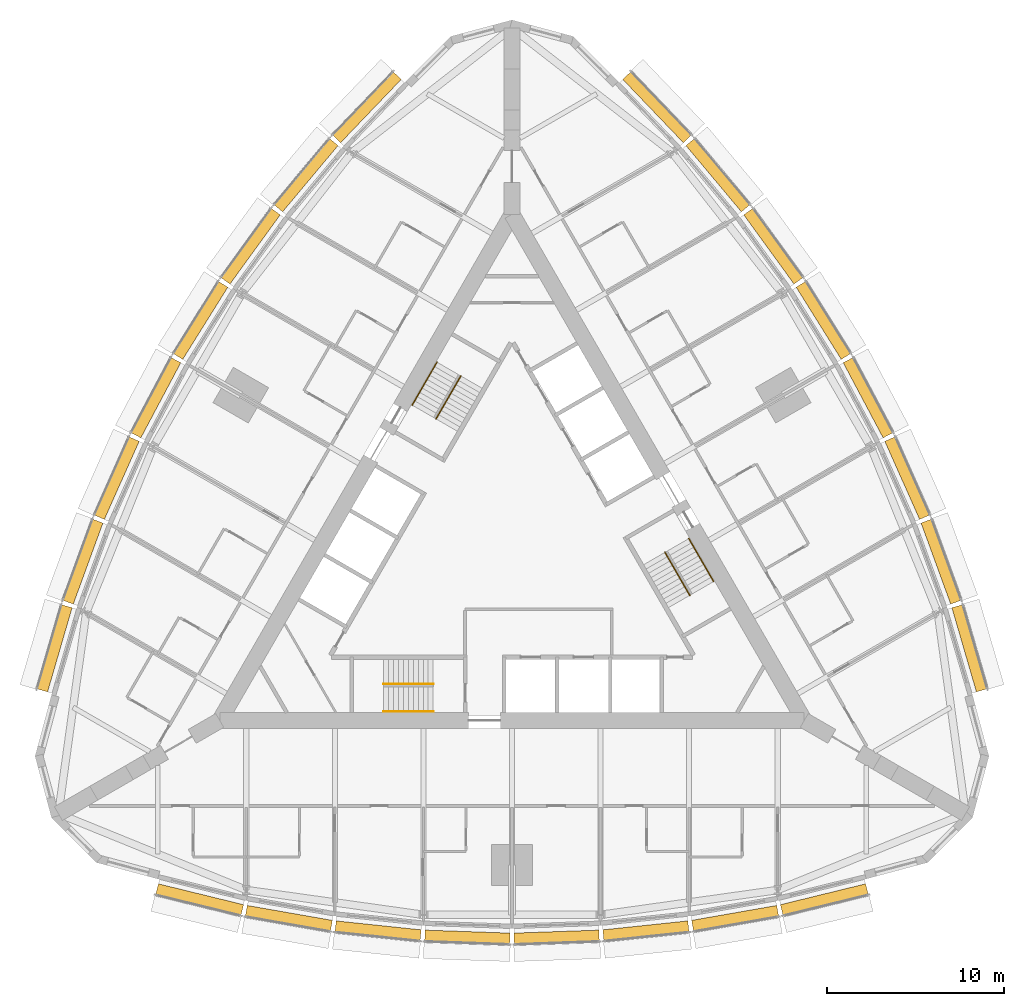
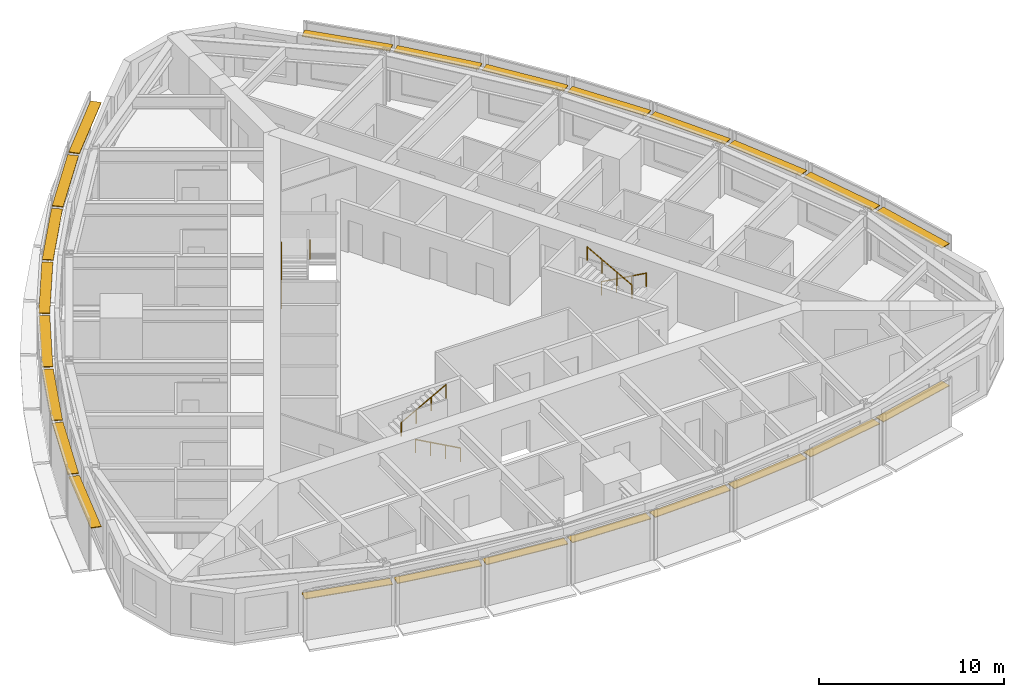
# One storey, part 14 of 14: 24 shading devices, 6 railings.
"""IFC4 building model written with IfcOpenShell, lengths in metres."""

from ifc_helpers import new_model, si_unit, direction, frame, origin, origin_2d, place, context, subcontext, project, spatial, rectangle, circle, extrude, material, type_object, element, save


model = new_model("IFC4")

# Units and contexts
model_context = context("Model", 3, precision=1e-05, world=origin(), true_north=direction((0.0, 1.0)))
body_context = subcontext(model_context, "Body", "Model", "MODEL_VIEW")
ifc_project = project(units=[si_unit("LENGTHUNIT", "METRE"), si_unit("AREAUNIT", "SQUARE_METRE"), si_unit("VOLUMEUNIT", "CUBIC_METRE"), si_unit("PLANEANGLEUNIT", "RADIAN"), si_unit("MASSUNIT", "GRAM", prefix="KILO")], contexts=[model_context])

# Site, building, storey
site_placement = place(None, origin())
site = spatial("IfcSite", under=ifc_project, at=site_placement, CompositionType="ELEMENT")
building_placement = place(site_placement, origin())
building = spatial("IfcBuilding", under=site, at=building_placement, Name="Trikona Tower", CompositionType="ELEMENT")
storey_placement = place(building_placement, frame((0.0, 0.0, 135.10009765625)))
storey = spatial("IfcBuildingStorey", under=building, at=storey_placement, Name="L35", CompositionType="ELEMENT", Elevation=135.10009765625)

# Shading devices
ifc_material_1 = material(Name="Aluminium louvre blade, pale anodised", Category="aluminium")
shading_device_type = type_object("IfcShadingDeviceType", Name="Cavity louvre 600", PredefinedType="USERDEFINED", material=ifc_material_1)
shading_device_1_placement = place(storey_placement, frame((-17.63330078125, -19.631591796875, 2.77490234375), z_axis=(0.0, 0.0, 1.0), x_axis=(0.971274411564, -0.237962218516, 0.0)))
element("IfcShadingDevice", 1, at=shading_device_1_placement, inside=storey, type_object=shading_device_type, Name="Cavity louvre L35-00", ObjectType="LOUVRE", PredefinedType="USERDEFINED", context=body_context, shape_type="SweptSolid", body=[
    extrude(rectangle(XDim=4.947998046875, YDim=0.60009765625, at=origin_2d()), origin(), (0.0, 0.0, 1.0), 0.050048828125),
])
shading_device_2_placement = place(storey_placement, frame((-12.596435546875, -20.689208984375, 2.77490234375), z_axis=(0.0, 0.0, 1.0), x_axis=(0.985030604067, -0.172379549401, 0.0)))
element("IfcShadingDevice", 2, at=shading_device_2_placement, inside=storey, type_object=shading_device_type, Name="Cavity louvre L35-01", ObjectType="LOUVRE", PredefinedType="USERDEFINED", context=body_context, shape_type="SweptSolid", body=[
    extrude(rectangle(XDim=4.8759765625, YDim=0.60009765625, at=origin_2d()), origin(), (0.0, 0.0, 1.0), 0.050048828125),
])
shading_device_3_placement = place(storey_placement, frame((-7.55859375, -21.39453125, 2.77490234375), z_axis=(0.0, 0.0, 1.0), x_axis=(0.994532653854, -0.104426052392, 0.0)))
element("IfcShadingDevice", 3, at=shading_device_3_placement, inside=storey, type_object=shading_device_type, Name="Cavity louvre L35-02", ObjectType="LOUVRE", PredefinedType="USERDEFINED", context=body_context, shape_type="SweptSolid", body=[
    extrude(rectangle(XDim=4.827392578125, YDim=0.60009765625, at=origin_2d()), origin(), (0.0, 0.0, 1.0), 0.050048828125),
])
for number, where, z_axis, x_axis, name in (
    (4, (-2.51953125, -21.747314453125, 2.77490234375), (0.0, 0.0, 1.0), (0.999388082937, -0.034977988567, 0.0), "Cavity louvre L35-03"),
    (5, (2.51953125, -21.747314453125, 2.77490234375), (0.0, 0.0, 1.0), (0.999388082937, 0.034977988567, 0.0), "Cavity louvre L35-04"),
):
    element("IfcShadingDevice", number, at=place(storey_placement, frame(where, z_axis=z_axis, x_axis=x_axis)), inside=storey, type_object=shading_device_type, Name=name, ObjectType="LOUVRE", PredefinedType="USERDEFINED", context=body_context, shape_type="SweptSolid", body=[
        extrude(rectangle(XDim=4.802978515625, YDim=0.60009765625, at=origin_2d()), origin(), (0.0, 0.0, 1.0), 0.050048828125),
    ])
shading_device_4_placement = place(storey_placement, frame((7.55859375, -21.39453125, 2.77490234375), z_axis=(0.0, 0.0, 1.0), x_axis=(0.994532653854, 0.104426052392, 0.0)))
element("IfcShadingDevice", 6, at=shading_device_4_placement, inside=storey, type_object=shading_device_type, Name="Cavity louvre L35-05", ObjectType="LOUVRE", PredefinedType="USERDEFINED", context=body_context, shape_type="SweptSolid", body=[
    extrude(rectangle(XDim=4.827392578125, YDim=0.60009765625, at=origin_2d()), origin(), (0.0, 0.0, 1.0), 0.050048828125),
])
shading_device_5_placement = place(storey_placement, frame((12.596435546875, -20.689208984375, 2.77490234375), z_axis=(0.0, 0.0, 1.0), x_axis=(0.985030604067, 0.172379549401, 0.0)))
element("IfcShadingDevice", 7, at=shading_device_5_placement, inside=storey, type_object=shading_device_type, Name="Cavity louvre L35-06", ObjectType="LOUVRE", PredefinedType="USERDEFINED", context=body_context, shape_type="SweptSolid", body=[
    extrude(rectangle(XDim=4.8759765625, YDim=0.60009765625, at=origin_2d()), origin(), (0.0, 0.0, 1.0), 0.050048828125),
])
shading_device_6_placement = place(storey_placement, frame((17.63330078125, -19.631591796875, 2.77490234375), z_axis=(0.0, 0.0, 1.0), x_axis=(0.971274411564, 0.237962218516, 0.0)))
element("IfcShadingDevice", 8, at=shading_device_6_placement, inside=storey, type_object=shading_device_type, Name="Cavity louvre L35-07", ObjectType="LOUVRE", PredefinedType="USERDEFINED", context=body_context, shape_type="SweptSolid", body=[
    extrude(rectangle(XDim=4.947998046875, YDim=0.60009765625, at=origin_2d()), origin(), (0.0, 0.0, 1.0), 0.050048828125),
])
shading_device_7_placement = place(storey_placement, frame((25.818115234375, -5.455078125, 2.77490234375), z_axis=(0.0, 0.0, 1.0), x_axis=(-0.279554203664, 0.960129911634, 0.0)))
element("IfcShadingDevice", 9, at=shading_device_7_placement, inside=storey, type_object=shading_device_type, Name="Cavity louvre L35-12", ObjectType="LOUVRE", PredefinedType="USERDEFINED", context=body_context, shape_type="SweptSolid", body=[
    extrude(rectangle(XDim=4.94775390625, YDim=0.60009765625, at=origin_2d()), origin(), (0.0, 0.0, 1.0), 0.050048828125),
])
shading_device_8_placement = place(storey_placement, frame((24.2158203125, -0.564208984375, 2.77490234375), z_axis=(0.0, 0.0, 1.0), x_axis=(-0.343220397324, 0.939254895575, 0.0)))
element("IfcShadingDevice", 10, at=shading_device_8_placement, inside=storey, type_object=shading_device_type, Name="Cavity louvre L35-13", ObjectType="LOUVRE", PredefinedType="USERDEFINED", context=body_context, shape_type="SweptSolid", body=[
    extrude(rectangle(XDim=4.8759765625, YDim=0.60009765625, at=origin_2d()), origin(), (0.0, 0.0, 1.0), 0.050048828125),
])
shading_device_9_placement = place(storey_placement, frame((22.3076171875, 4.151611328125, 2.77490234375), z_axis=(0.0, 0.0, 1.0), x_axis=(-0.406843467615, 0.913497888809, 0.0)))
element("IfcShadingDevice", 11, at=shading_device_9_placement, inside=storey, type_object=shading_device_type, Name="Cavity louvre L35-14", ObjectType="LOUVRE", PredefinedType="USERDEFINED", context=body_context, shape_type="SweptSolid", body=[
    extrude(rectangle(XDim=4.827392578125, YDim=0.60009765625, at=origin_2d()), origin(), (0.0, 0.0, 1.0), 0.050048828125),
])
for number, where, z_axis, x_axis, name in (
    (12, (20.093505859375, 8.691650390625, 2.77490234375), (0.0, 0.0, 1.0), (-0.469397591494, 0.882986920118, 0.0), "Cavity louvre L35-15"),
    (13, (17.573974609375, 13.0556640625, 2.77490234375), (0.0, 0.0, 1.0), (-0.529994748414, 0.848000923734, 0.0), "Cavity louvre L35-16"),
):
    element("IfcShadingDevice", number, at=place(storey_placement, frame(where, z_axis=z_axis, x_axis=x_axis)), inside=storey, type_object=shading_device_type, Name=name, ObjectType="LOUVRE", PredefinedType="USERDEFINED", context=body_context, shape_type="SweptSolid", body=[
        extrude(rectangle(XDim=4.802978515625, YDim=0.60009765625, at=origin_2d()), origin(), (0.0, 0.0, 1.0), 0.050048828125),
    ])
shading_device_10_placement = place(storey_placement, frame((14.7490234375, 17.2431640625, 2.77490234375), z_axis=(0.0, 0.0, 1.0), x_axis=(-0.587686407834, 0.809088799853, 0.0)))
element("IfcShadingDevice", 14, at=shading_device_10_placement, inside=storey, type_object=shading_device_type, Name="Cavity louvre L35-17", ObjectType="LOUVRE", PredefinedType="USERDEFINED", context=body_context, shape_type="SweptSolid", body=[
    extrude(rectangle(XDim=4.827392578125, YDim=0.60009765625, at=origin_2d()), origin(), (0.0, 0.0, 1.0), 0.050048828125),
])
shading_device_11_placement = place(storey_placement, frame((11.619140625, 21.253662109375, 2.77490234375), z_axis=(0.0, 0.0, 1.0), x_axis=(-0.641807063101, 0.766866151133, 0.0)))
element("IfcShadingDevice", 15, at=shading_device_11_placement, inside=storey, type_object=shading_device_type, Name="Cavity louvre L35-18", ObjectType="LOUVRE", PredefinedType="USERDEFINED", context=body_context, shape_type="SweptSolid", body=[
    extrude(rectangle(XDim=4.8759765625, YDim=0.60009765625, at=origin_2d()), origin(), (0.0, 0.0, 1.0), 0.050048828125),
])
for number, where, z_axis, x_axis, name in (
    (16, (8.184814453125, 25.086669921875, 2.77490234375), (0.0, 0.0, 1.0), (-0.691723573819, 0.722162376078, 0.0), "Cavity louvre L35-19"),
    (17, (-8.184814453125, 25.086669921875, 2.77490234375), (0.0, 0.0, 1.0), (-0.691723573819, -0.722162376078, 0.0), "Cavity louvre L35-24"),
):
    element("IfcShadingDevice", number, at=place(storey_placement, frame(where, z_axis=z_axis, x_axis=x_axis)), inside=storey, type_object=shading_device_type, Name=name, ObjectType="LOUVRE", PredefinedType="USERDEFINED", context=body_context, shape_type="SweptSolid", body=[
        extrude(rectangle(XDim=4.947998046875, YDim=0.60009765625, at=origin_2d()), origin(), (0.0, 0.0, 1.0), 0.050048828125),
    ])
shading_device_12_placement = place(storey_placement, frame((-11.619140625, 21.253662109375, 2.77490234375), z_axis=(0.0, 0.0, 1.0), x_axis=(-0.641807063101, -0.766866151133, 0.0)))
element("IfcShadingDevice", 18, at=shading_device_12_placement, inside=storey, type_object=shading_device_type, Name="Cavity louvre L35-25", ObjectType="LOUVRE", PredefinedType="USERDEFINED", context=body_context, shape_type="SweptSolid", body=[
    extrude(rectangle(XDim=4.8759765625, YDim=0.60009765625, at=origin_2d()), origin(), (0.0, 0.0, 1.0), 0.050048828125),
])
shading_device_13_placement = place(storey_placement, frame((-14.7490234375, 17.2431640625, 2.77490234375), z_axis=(0.0, 0.0, 1.0), x_axis=(-0.587686407834, -0.809088799853, 0.0)))
element("IfcShadingDevice", 19, at=shading_device_13_placement, inside=storey, type_object=shading_device_type, Name="Cavity louvre L35-26", ObjectType="LOUVRE", PredefinedType="USERDEFINED", context=body_context, shape_type="SweptSolid", body=[
    extrude(rectangle(XDim=4.827392578125, YDim=0.60009765625, at=origin_2d()), origin(), (0.0, 0.0, 1.0), 0.050048828125),
])
for number, where, z_axis, x_axis, name in (
    (20, (-17.573974609375, 13.0556640625, 2.77490234375), (0.0, 0.0, 1.0), (-0.529994748414, -0.848000923734, 0.0), "Cavity louvre L35-27"),
    (21, (-20.093505859375, 8.691650390625, 2.77490234375), (0.0, 0.0, 1.0), (-0.469397591494, -0.882986920118, 0.0), "Cavity louvre L35-28"),
):
    element("IfcShadingDevice", number, at=place(storey_placement, frame(where, z_axis=z_axis, x_axis=x_axis)), inside=storey, type_object=shading_device_type, Name=name, ObjectType="LOUVRE", PredefinedType="USERDEFINED", context=body_context, shape_type="SweptSolid", body=[
        extrude(rectangle(XDim=4.802978515625, YDim=0.60009765625, at=origin_2d()), origin(), (0.0, 0.0, 1.0), 0.050048828125),
    ])
shading_device_14_placement = place(storey_placement, frame((-22.3076171875, 4.151611328125, 2.77490234375), z_axis=(0.0, 0.0, 1.0), x_axis=(-0.406843467615, -0.913497888809, 0.0)))
element("IfcShadingDevice", 22, at=shading_device_14_placement, inside=storey, type_object=shading_device_type, Name="Cavity louvre L35-29", ObjectType="LOUVRE", PredefinedType="USERDEFINED", context=body_context, shape_type="SweptSolid", body=[
    extrude(rectangle(XDim=4.827392578125, YDim=0.60009765625, at=origin_2d()), origin(), (0.0, 0.0, 1.0), 0.050048828125),
])
shading_device_15_placement = place(storey_placement, frame((-24.2158203125, -0.564208984375, 2.77490234375), z_axis=(0.0, 0.0, 1.0), x_axis=(-0.343220397324, -0.939254895575, 0.0)))
element("IfcShadingDevice", 23, at=shading_device_15_placement, inside=storey, type_object=shading_device_type, Name="Cavity louvre L35-30", ObjectType="LOUVRE", PredefinedType="USERDEFINED", context=body_context, shape_type="SweptSolid", body=[
    extrude(rectangle(XDim=4.8759765625, YDim=0.60009765625, at=origin_2d()), origin(), (0.0, 0.0, 1.0), 0.050048828125),
])
shading_device_16_placement = place(storey_placement, frame((-25.818115234375, -5.455078125, 2.77490234375), z_axis=(0.0, 0.0, 1.0), x_axis=(-0.279554203664, -0.960129911634, 0.0)))
element("IfcShadingDevice", 24, at=shading_device_16_placement, inside=storey, type_object=shading_device_type, Name="Cavity louvre L35-31", ObjectType="LOUVRE", PredefinedType="USERDEFINED", context=body_context, shape_type="SweptSolid", body=[
    extrude(rectangle(XDim=4.94775390625, YDim=0.60009765625, at=origin_2d()), origin(), (0.0, 0.0, 1.0), 0.050048828125),
])

# Railings
ifc_material_2 = material(Name="Stainless steel handrail", Category="steel")
railing_type = type_object("IfcRailingType", Name="Stair handrail", PredefinedType="HANDRAIL", material=ifc_material_2)
railing_1_placement = place(storey_placement, frame((-4.449951171875, -9.016357421875, 0.154296875)))
element("IfcRailing", 25, at=railing_1_placement, inside=storey, type_object=railing_type, Name="Stair handrail A L35 1", PredefinedType="HANDRAIL", context=body_context, shape_type="SweptSolid", body=[
    extrude(circle(Radius=0.02392578125, at=origin_2d()), frame((0.0, 0.0, 0.8759765625), z_axis=(-0.875471895205, 0.0, 0.483269035534), x_axis=(0.0, -1.0, 0.0)), (0.0, 0.0, 1.0), 3.1982421875),
    extrude(circle(Radius=0.02099609375, at=origin_2d()), origin(), (0.0, 0.0, 1.0), 0.851806640625),
    extrude(circle(Radius=0.02099609375, at=origin_2d()), frame((-0.933349609375, 0.0, 0.51513671875)), (0.0, 0.0, 1.0), 0.851806640625),
    extrude(circle(Radius=0.02099609375, at=origin_2d()), frame((-1.86669921875, 0.0, 1.030517578125)), (0.0, 0.0, 1.0), 0.851806640625),
    extrude(circle(Radius=0.02099609375, at=origin_2d()), frame((-2.800048828125, 0.0, 1.545654296875)), (0.0, 0.0, 1.0), 0.851806640625),
])
railing_2_placement = place(storey_placement, frame((-7.25, -7.46630859375, 1.8544921875)))
element("IfcRailing", 26, at=railing_2_placement, inside=storey, type_object=railing_type, Name="Stair handrail A L35 2", PredefinedType="HANDRAIL", context=body_context, shape_type="SweptSolid", body=[
    extrude(circle(Radius=0.02392578125, at=origin_2d()), frame((0.0, 0.0, 0.8759765625), z_axis=(0.875504190374, 0.0, 0.483210526207), x_axis=(0.0, 1.0, 0.0)), (0.0, 0.0, 1.0), 3.1982421875),
    extrude(circle(Radius=0.02099609375, at=origin_2d()), origin(), (0.0, 0.0, 1.0), 0.851806640625),
    extrude(circle(Radius=0.02099609375, at=origin_2d()), frame((0.933349609375, 0.0, 0.51513671875)), (0.0, 0.0, 1.0), 0.851806640625),
    extrude(circle(Radius=0.02099609375, at=origin_2d()), frame((1.86669921875, 0.0, 1.0302734375)), (0.0, 0.0, 1.0), 0.851806640625),
    extrude(circle(Radius=0.02099609375, at=origin_2d()), frame((2.800048828125, 0.0, 1.54541015625)), (0.0, 0.0, 1.0), 0.851806640625),
])
railing_3_placement = place(storey_placement, frame((9.9833984375, 0.740966796875, 0.154296875)))
element("IfcRailing", 27, at=railing_3_placement, inside=storey, type_object=railing_type, Name="Stair handrail B L35 1", PredefinedType="HANDRAIL", context=body_context, shape_type="SweptSolid", body=[
    extrude(circle(Radius=0.02392578125, at=origin_2d()), frame((0.0, 0.0, 0.8759765625), z_axis=(0.437691042731, -0.758211567396, 0.483261596012), x_axis=(0.866056369097, 0.49994636267, 0.0)), (0.0, 0.0, 1.0), 3.198486328125),
    extrude(circle(Radius=0.02099609375, at=origin_2d()), origin(), (0.0, 0.0, 1.0), 0.851806640625),
    extrude(circle(Radius=0.02099609375, at=origin_2d()), frame((0.466552734375, -0.808349609375, 0.51513671875)), (0.0, 0.0, 1.0), 0.851806640625),
    extrude(circle(Radius=0.02099609375, at=origin_2d()), frame((0.933349609375, -1.61669921875, 1.030517578125)), (0.0, 0.0, 1.0), 0.851806640625),
    extrude(circle(Radius=0.02099609375, at=origin_2d()), frame((1.39990234375, -2.425048828125, 1.545654296875)), (0.0, 0.0, 1.0), 0.851806640625),
])
railing_4_placement = place(storey_placement, frame((10.041015625, -2.458984375, 1.8544921875)))
element("IfcRailing", 28, at=railing_4_placement, inside=storey, type_object=railing_type, Name="Stair handrail B L35 2", PredefinedType="HANDRAIL", context=body_context, shape_type="SweptSolid", body=[
    extrude(circle(Radius=0.02392578125, at=origin_2d()), frame((0.0, 0.0, 0.8759765625), z_axis=(-0.437707188162, 0.758239536103, 0.483203087036), x_axis=(-0.866056369097, -0.49994636267, 0.0)), (0.0, 0.0, 1.0), 3.1982421875),
    extrude(circle(Radius=0.02099609375, at=origin_2d()), origin(), (0.0, 0.0, 1.0), 0.851806640625),
    extrude(circle(Radius=0.02099609375, at=origin_2d()), frame((-0.466552734375, 0.808349609375, 0.51513671875)), (0.0, 0.0, 1.0), 0.851806640625),
    extrude(circle(Radius=0.02099609375, at=origin_2d()), frame((-0.933349609375, 1.61669921875, 1.0302734375)), (0.0, 0.0, 1.0), 0.851806640625),
    extrude(circle(Radius=0.02099609375, at=origin_2d()), frame((-1.39990234375, 2.425048828125, 1.54541015625)), (0.0, 0.0, 1.0), 0.851806640625),
])
railing_5_placement = place(storey_placement, frame((-5.63330078125, 8.275390625, 0.154296875)))
element("IfcRailing", 29, at=railing_5_placement, inside=storey, type_object=railing_type, Name="Stair handrail C L35 1", PredefinedType="HANDRAIL", context=body_context, shape_type="SweptSolid", body=[
    extrude(circle(Radius=0.02392578125, at=origin_2d()), frame((0.0, 0.0, 0.8759765625), z_axis=(0.437716375571, 0.758179114435, 0.4832895664), x_axis=(-0.866034573852, 0.49998411664, 0.0)), (0.0, 0.0, 1.0), 3.1982421875),
    extrude(circle(Radius=0.02099609375, at=origin_2d()), origin(), (0.0, 0.0, 1.0), 0.851806640625),
    extrude(circle(Radius=0.02099609375, at=origin_2d()), frame((0.466552734375, 0.808349609375, 0.51513671875)), (0.0, 0.0, 1.0), 0.851806640625),
    extrude(circle(Radius=0.02099609375, at=origin_2d()), frame((0.933349609375, 1.616455078125, 1.030517578125)), (0.0, 0.0, 1.0), 0.851806640625),
    extrude(circle(Radius=0.02099609375, at=origin_2d()), frame((1.39990234375, 2.4248046875, 1.545654296875)), (0.0, 0.0, 1.0), 0.851806640625),
])
railing_6_placement = place(storey_placement, frame((-2.89111328125, 9.92529296875, 1.8544921875)))
element("IfcRailing", 30, at=railing_6_placement, inside=storey, type_object=railing_type, Name="Stair handrail C L35 2", PredefinedType="HANDRAIL", context=body_context, shape_type="SweptSolid", body=[
    extrude(circle(Radius=0.02392578125, at=origin_2d()), frame((0.0, 0.0, 0.8759765625), z_axis=(-0.437707188162, -0.758239536103, 0.483203087036), x_axis=(0.866056369097, -0.49994636267, 0.0)), (0.0, 0.0, 1.0), 3.1982421875),
    extrude(circle(Radius=0.02099609375, at=origin_2d()), origin(), (0.0, 0.0, 1.0), 0.851806640625),
    extrude(circle(Radius=0.02099609375, at=origin_2d()), frame((-0.466552734375, -0.808349609375, 0.51513671875)), (0.0, 0.0, 1.0), 0.851806640625),
    extrude(circle(Radius=0.02099609375, at=origin_2d()), frame((-0.933349609375, -1.61669921875, 1.0302734375)), (0.0, 0.0, 1.0), 0.851806640625),
    extrude(circle(Radius=0.02099609375, at=origin_2d()), frame((-1.39990234375, -2.425048828125, 1.54541015625)), (0.0, 0.0, 1.0), 0.851806640625),
])

save(model, "model.ifc")
